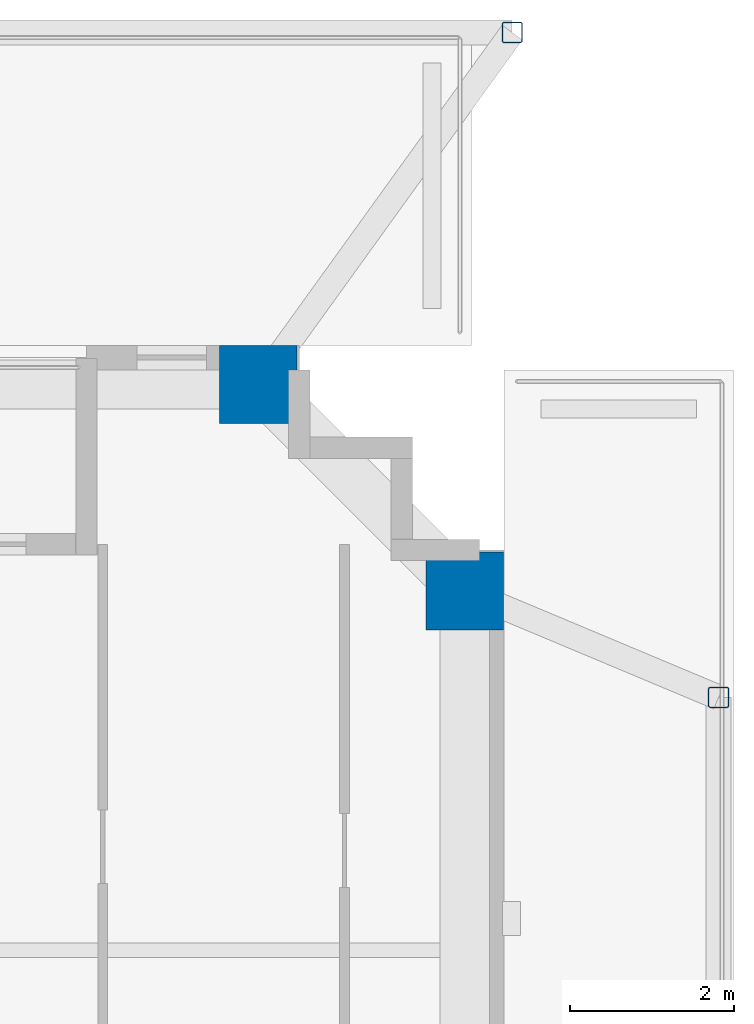
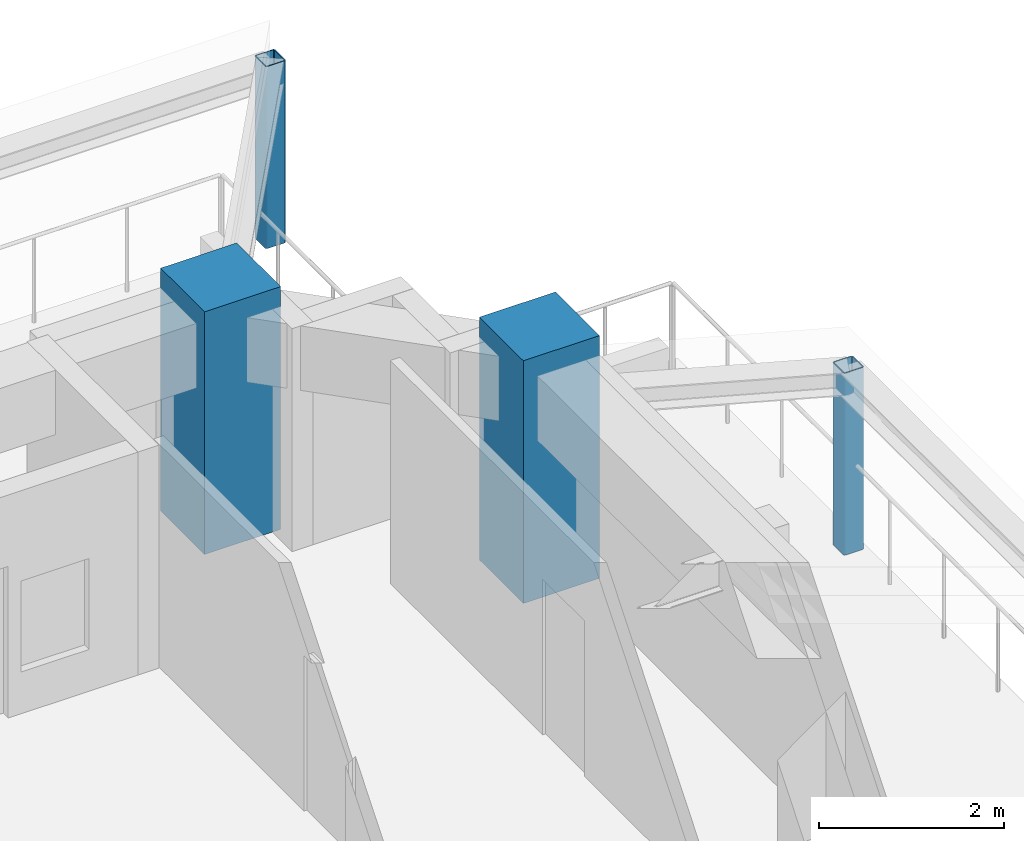
# One storey, part 4 of 16: 4 columns.
"""IFC4 building model written with IfcOpenShell, lengths in metres."""

from ifc_helpers import new_model, si_unit, derived_unit, direction, frame, origin, origin_2d, place, context, subcontext, project, spatial, rectangle, hollow_rectangle, extrude, material, material_profile, profile_set, type_object, element, save


model = new_model("IFC4")

# Units and contexts
model_context = context("Model", 3, precision=1e-05, world=origin(), true_north=direction((0.0, 1.0)))
body_context = subcontext(model_context, "Body", "Model", "MODEL_VIEW")
ifc_project = project(units=[si_unit("LENGTHUNIT", "METRE"), si_unit("AREAUNIT", "SQUARE_METRE"), si_unit("VOLUMEUNIT", "CUBIC_METRE"), si_unit("PLANEANGLEUNIT", "RADIAN"), si_unit("MASSUNIT", "GRAM", prefix="KILO"), derived_unit("THERMALTRANSMITTANCEUNIT", [(si_unit("MASSUNIT", "GRAM", prefix="KILO"), 1), (si_unit("TIMEUNIT", "SECOND"), -3), (si_unit("THERMODYNAMICTEMPERATUREUNIT", "KELVIN"), -1)])], contexts=[model_context])

# Site, building, storey
site_placement = place(None, origin())
site = spatial("IfcSite", under=ifc_project, at=site_placement, CompositionType="ELEMENT")
building_placement = place(site_placement, origin())
building = spatial("IfcBuilding", under=site, at=building_placement, Name="Korrvale Station Residences", CompositionType="ELEMENT")
storey_placement = place(building_placement, frame((0.0, 0.0, 75.10009765625)))
storey = spatial("IfcBuildingStorey", under=building, at=storey_placement, Name="L20", CompositionType="ELEMENT", Elevation=75.10009765625)

# Columns
ifc_material_1 = material(Name="Steel S355", Category="steel")
ifc_material_profile_1 = material_profile(ifc_material_1, hollow_rectangle(XDim=0.25390625, YDim=0.25390625, WallThickness=0.0126953125, InnerFilletRadius=0.0126953125, OuterFilletRadius=0.025390625, at=origin_2d()), Name="HSS254x254x13")
ifc_profile_set_1 = profile_set([ifc_material_profile_1], Name="Steel S355")
column_type_1 = type_object("IfcColumnType", Name="COL-C-HSS254x254x13-S355", PredefinedType="COLUMN", material=ifc_profile_set_1)
for number, where, z_axis, x_axis, name in (
    (1, (43.5, 47.1201171875, 0.0), (0.0, 0.0, 1.0), (1.0, 0.0, 0.0), "L20 Setback Canopy Frame Post 2"),
    (2, (46.02001953125, 39.0, 0.0), (0.0, 0.0, 1.0), (1.0, 0.0, 0.0), "L20 Setback Canopy Frame Post 2"),
):
    element("IfcColumn", number, at=place(storey_placement, frame(where, z_axis=z_axis, x_axis=x_axis)), inside=storey, type_object=column_type_1, Name=name, PredefinedType="COLUMN", context=body_context, shape_type="SweptSolid", body=[
        extrude(hollow_rectangle(XDim=0.25390625, YDim=0.25390625, WallThickness=0.0126953125, InnerFilletRadius=0.0126953125, OuterFilletRadius=0.025390625, at=origin_2d()), origin(), (0.0, 0.0, 1.0), 2.39990234375),
    ])
ifc_material_2 = material(Name="Concrete C60/75", Category="concrete")
ifc_material_profile_2 = material_profile(ifc_material_2, rectangle(XDim=0.949951171875, YDim=0.949951171875, at=origin_2d()), Name="RC950x950")
ifc_profile_set_2 = profile_set([ifc_material_profile_2], Name="Concrete C60/75")
column_type_2 = type_object("IfcColumnType", Name="COL-C-RC950x950-C6075", PredefinedType="COLUMN", material=ifc_profile_set_2)
for number, where, z_axis, x_axis, name in (
    (3, (40.39990234375, 42.820068359375, 0.0), (0.0, 0.0, 1.0), (1.0, 0.0, 0.0), "L20 Bundled-Tube North Column 16"),
    (4, (42.919921875, 40.300048828125, 0.0), (0.0, 0.0, 1.0), (1.0, 0.0, 0.0), "L20 Bundled-Tube East Column 32"),
):
    element("IfcColumn", number, at=place(storey_placement, frame(where, z_axis=z_axis, x_axis=x_axis)), inside=storey, type_object=column_type_2, Name=name, PredefinedType="COLUMN", context=body_context, shape_type="SweptSolid", body=[
        extrude(rectangle(XDim=0.949951171875, YDim=0.949951171875, at=origin_2d()), origin(), (0.0, 0.0, 1.0), 3.199951171875),
    ])

save(model, "model.ifc")
